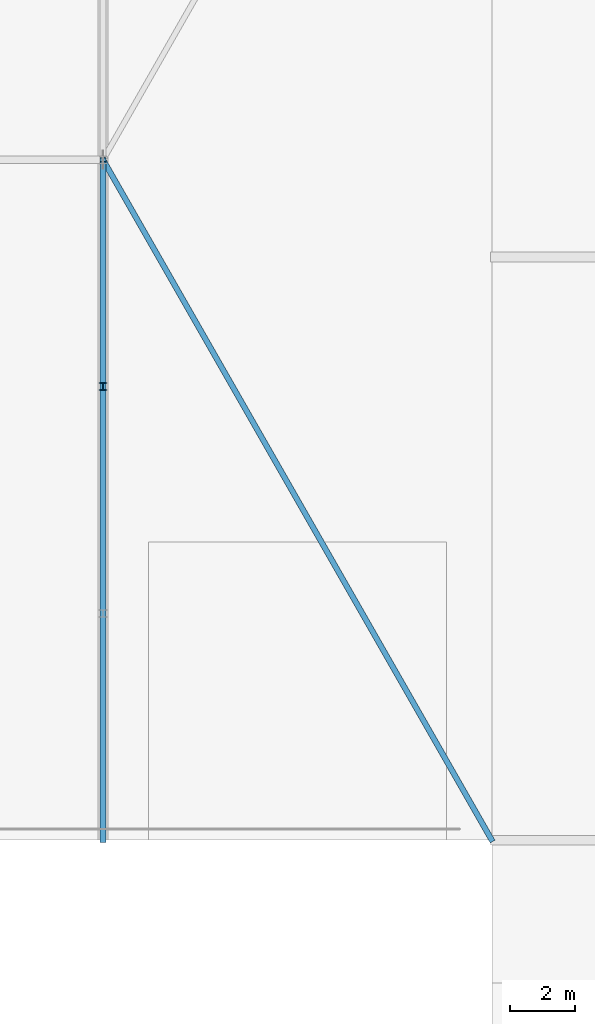
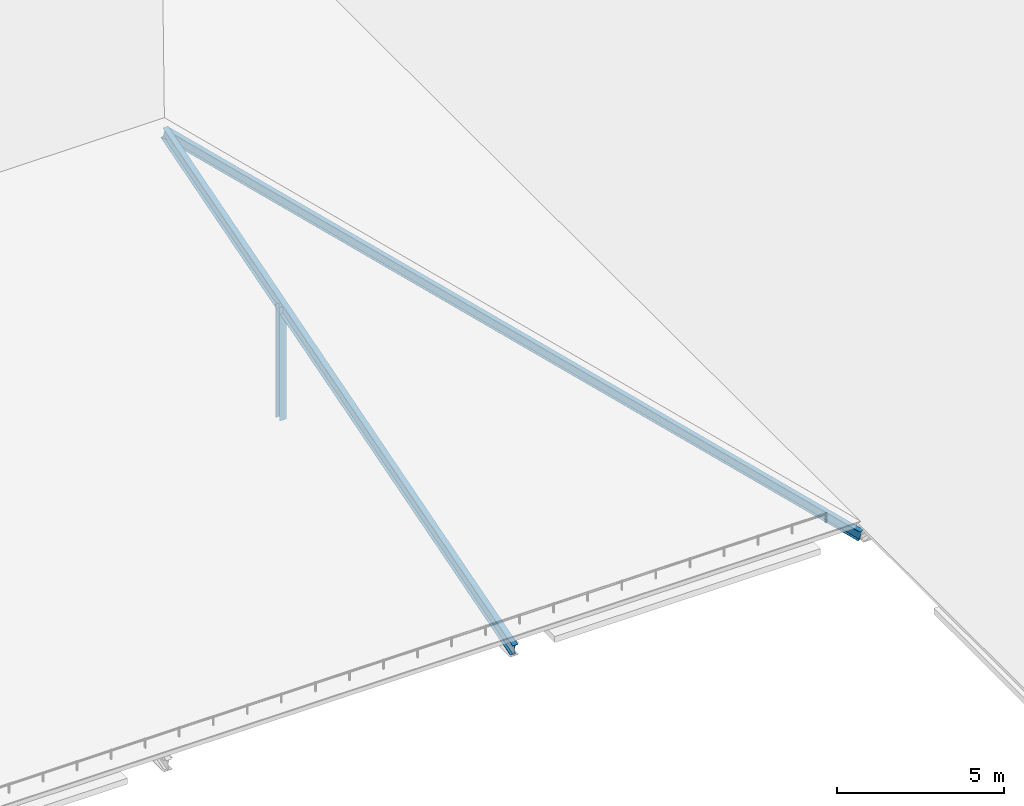
# One storey, part 13 of 204: 3 members.
"""IFC4 building model written with IfcOpenShell, lengths in metres."""

import ifcopenshell
import ifcopenshell.guid

model = None  # the IFC model being written
_history = None  # IfcOwnerHistory: only IFC2X3 demands one
_inside = {}  # id of a spatial element -> (the spatial element, [elements in it])
_under = {}  # id of a project, library or spatial element -> (it, [spatial elements below it])
_declared = {}  # id of a project -> (the project, [libraries it declares])
_typed = {}  # id of a type object -> (the type object, [elements of that type])
_made_of = {}  # id of a material, layer set ... -> (it, [elements and type objects made of it])


def new_model(schema):
    """Start an empty IFC model of exactly this schema.

    Asked for "IFC4X3", IfcOpenShell would pick the latest addendum, in which some entities
    have other attributes; the version numbers below select the first issue.
    IFC2X3 requires an IfcOwnerHistory on every rooted entity: one is made here for all.
    """
    global model, _history
    if schema == "IFC4X3":
        model = ifcopenshell.file(schema_version=(4, 3, 0, 0))
    else:
        model = ifcopenshell.file(schema=schema)
    _inside.clear()
    _under.clear()
    _declared.clear()
    _typed.clear()
    _made_of.clear()
    _history = None
    if model.schema == "IFC2X3":
        org = make("IfcOrganization", Name="unknown")
        user = make(
            "IfcPersonAndOrganization",
            ThePerson=make("IfcPerson", FamilyName="unknown"),
            TheOrganization=org,
        )
        app = make(
            "IfcApplication",
            ApplicationDeveloper=org,
            Version="unknown",
            ApplicationFullName="unknown",
            ApplicationIdentifier="unknown",
        )
        _history = make(
            "IfcOwnerHistory",
            OwningUser=user,
            OwningApplication=app,
            ChangeAction="ADDED",
            CreationDate=0,
        )
    return model


def make(cls, **values):
    """One entity of the class cls with the attributes given. An attribute that is None is left unset."""
    return model.create_entity(
        cls, **{name: value for name, value in values.items() if value is not None}
    )


def rooted(cls, **values):
    """An entity with a GlobalId (a new one), such as an element, a storey or a relation."""
    return make(cls, GlobalId=ifcopenshell.guid.new(), OwnerHistory=_history, **values)


def si_unit(unit_type, name, prefix=None):
    """IfcSIUnit, for example si_unit("LENGTHUNIT", "METRE", prefix="MILLI")."""
    return make("IfcSIUnit", UnitType=unit_type, Prefix=prefix, Name=name)


def assignment(units):
    """IfcUnitAssignment: the units of a project."""
    return None if units is None else make("IfcUnitAssignment", Units=units)


def point(xyz):
    """IfcCartesianPoint."""
    return None if xyz is None else make("IfcCartesianPoint", Coordinates=xyz)


def direction(xyz):
    """IfcDirection."""
    return None if xyz is None else make("IfcDirection", DirectionRatios=xyz)


def frame(location, z_axis=None, x_axis=None):
    """IfcAxis2Placement3D, a coordinate frame: its origin and axes. An axis left out is left unset."""
    return make(
        "IfcAxis2Placement3D",
        Location=point(location),
        Axis=direction(z_axis),
        RefDirection=direction(x_axis),
    )


def frame_2d(location, x_axis=None):
    """IfcAxis2Placement2D, a coordinate frame in the plane: its origin and x axis."""
    return make(
        "IfcAxis2Placement2D", Location=point(location), RefDirection=direction(x_axis)
    )


def origin():
    """The frame at (0, 0, 0) with its axes left unset."""
    return frame((0.0, 0.0, 0.0))


def origin_2d():
    """The frame at (0, 0) in the plane with its x axis left unset."""
    return frame_2d((0.0, 0.0))


def place(relative_to, where):
    """IfcLocalPlacement: puts the frame where relative to a parent placement (None: the world)."""
    return make(
        "IfcLocalPlacement", PlacementRelTo=relative_to, RelativePlacement=where
    )


def context(
    kind, dimensions, precision=None, world=None, true_north=None, identifier=None
):
    """IfcGeometricRepresentationContext, for example the 3D "Model" context."""
    return make(
        "IfcGeometricRepresentationContext",
        ContextIdentifier=identifier,
        ContextType=kind,
        CoordinateSpaceDimension=dimensions,
        Precision=precision,
        WorldCoordinateSystem=world,
        TrueNorth=true_north,
    )


def subcontext(parent, identifier, kind, view, scale=None):
    """IfcGeometricRepresentationSubContext, for example "Body" below "Model"."""
    return make(
        "IfcGeometricRepresentationSubContext",
        ContextIdentifier=identifier,
        ContextType=kind,
        ParentContext=parent,
        TargetScale=scale,
        TargetView=view,
    )


def project(units=None, contexts=None):
    """IfcProject with its units and contexts."""
    return rooted(
        "IfcProject",
        Name="project",
        RepresentationContexts=contexts,
        UnitsInContext=assignment(units),
    )


def spatial(cls, under=None, at=None, **own):
    """A site, building, storey or space (cls), placed at a placement, below another one or the project."""
    s = rooted(cls, ObjectPlacement=at, **own)
    if under is not None:
        _under.setdefault(under.id(), (under, []))[1].append(s)
    return s


def profile(cls, at=None, kind="AREA", **sizes):
    """A parametric profile (cls). Its sizes go by their IFC names, for example OverallWidth=200.0."""
    return make(cls, ProfileType=kind, Position=at, **sizes)


def i_section(**sizes):
    """IfcIShapeProfileDef."""
    return profile("IfcIShapeProfileDef", **sizes)


def extrude(swept, where, along, depth):
    """IfcExtrudedAreaSolid: the profile swept, set in the frame where, extruded along a direction by depth."""
    return make(
        "IfcExtrudedAreaSolid",
        SweptArea=swept,
        Position=where,
        ExtrudedDirection=direction(along),
        Depth=depth,
    )


def shape(context_of_items, identifier, shape_type, items):
    """IfcShapeRepresentation: the items that make up one representation, for example the "Body"."""
    return make(
        "IfcShapeRepresentation",
        ContextOfItems=context_of_items,
        RepresentationIdentifier=identifier,
        RepresentationType=shape_type,
        Items=items,
    )


def material(Name=None, Category=None):
    """IfcMaterial."""
    return make("IfcMaterial", Name=Name, Category=Category)


def material_profile(
    of_material, cross_section, Name=None, Category=None, Priority=None
):
    """IfcMaterialProfile: a cross section and its material."""
    return make(
        "IfcMaterialProfile",
        Name=Name,
        Material=of_material,
        Profile=cross_section,
        Priority=Priority,
        Category=Category,
    )


def profile_set(profiles, Name=None, composite=None):
    """IfcMaterialProfileSet."""
    return make(
        "IfcMaterialProfileSet",
        Name=Name,
        MaterialProfiles=profiles,
        CompositeProfile=composite,
    )


def made_of(thing, what):
    """Note that an element or type object is made of a material, layer set ...; save() writes the relation."""
    if what is not None:
        _made_of.setdefault(what.id(), (what, []))[1].append(thing)
    return thing


def type_object(cls, material=None, **own):
    """A type object (cls), such as IfcWallType, which elements share."""
    return made_of(rooted(cls, **own), material)


def element(
    cls,
    number,
    at=None,
    inside=None,
    cuts=None,
    type_object=None,
    material=None,
    context=None,
    identifier="Body",
    shape_type=None,
    held_by="IfcProductDefinitionShape",
    body=None,
    shapes=None,
    **own,
):
    """One element of the class cls, such as IfcWall. Its Tag is "e" and its number.

    at: its placement. inside: the storey or other place that contains it. cuts: it is an
    opening in that element (IfcRelVoidsElement). A single representation is given by context,
    identifier, shape_type and body (its items); several are given by shapes. held_by: the class
    of the entity that holds the representations. save() writes the other relations.
    """
    e = rooted(cls, Tag="e%d" % number, ObjectPlacement=at, **own)
    if body is not None:
        shapes = [shape(context, identifier, shape_type, body)]
    if shapes is not None:
        e.Representation = make(held_by, Representations=shapes)
    if inside is not None:
        _inside.setdefault(inside.id(), (inside, []))[1].append(e)
    if cuts is not None:
        rooted(
            "IfcRelVoidsElement", RelatingBuildingElement=cuts, RelatedOpeningElement=e
        )
    if type_object is not None:
        _typed.setdefault(type_object.id(), (type_object, []))[1].append(e)
    return made_of(e, material)


def aggregate(whole, parts):
    """IfcRelAggregates: a whole, such as a stair, and the parts it consists of."""
    return rooted("IfcRelAggregates", RelatingObject=whole, RelatedObjects=parts)


def save(model, path):
    """Write the relations noted so far, then the file.

    IfcRelAggregates (storeys below a building ...), IfcRelContainedInSpatialStructure (elements
    in a storey), IfcRelDefinesByType, IfcRelAssociatesMaterial and IfcRelDeclares: one each for
    every whole, place, type object, material and project.
    """
    for whole, parts in _under.values():
        aggregate(whole, parts)
    for where, things in _inside.values():
        rooted(
            "IfcRelContainedInSpatialStructure",
            RelatedElements=things,
            RelatingStructure=where,
        )
    for kind, things in _typed.values():
        rooted("IfcRelDefinesByType", RelatedObjects=things, RelatingType=kind)
    for what, things in _made_of.values():
        rooted("IfcRelAssociatesMaterial", RelatedObjects=things, RelatingMaterial=what)
    for by, libraries in _declared.values():
        rooted("IfcRelDeclares", RelatingContext=by, RelatedDefinitions=libraries)
    model.write(path)


model = new_model("IFC4")

# Units and contexts
model_context = context("Model", 3, precision=1e-05, world=origin(), true_north=direction((0.0, 1.0)))
body_context = subcontext(model_context, "Body", "Model", "MODEL_VIEW")
ifc_project = project(units=[si_unit("LENGTHUNIT", "METRE"), si_unit("AREAUNIT", "SQUARE_METRE"), si_unit("VOLUMEUNIT", "CUBIC_METRE"), si_unit("PLANEANGLEUNIT", "RADIAN"), si_unit("MASSUNIT", "GRAM", prefix="KILO")], contexts=[model_context])

# Site, building, storey
site_placement = place(None, origin())
site = spatial("IfcSite", under=ifc_project, at=site_placement, CompositionType="ELEMENT")
building_placement = place(site_placement, origin())
building = spatial("IfcBuilding", under=site, at=building_placement, Name="Zilviju Railside Exhibition Hall", CompositionType="ELEMENT")
storey_placement = place(building_placement, frame((0.0, 0.0, 21.0)))
storey = spatial("IfcBuildingStorey", under=building, at=storey_placement, Name="RF", CompositionType="ELEMENT", Elevation=21.0)

# Members
ifc_material = material(Name="Steel S355J2", Category="steel")
ifc_material_profile_1 = material_profile(ifc_material, i_section(OverallWidth=0.239990234375, OverallDepth=0.22998046875, WebThickness=0.007568359375, FlangeThickness=0.011962890625, at=origin_2d()), Name="HEA 240")
ifc_profile_set_1 = profile_set([ifc_material_profile_1], Name="Steel S355J2")
member_type_1 = type_object("IfcMemberType", Name="TR-POST-HEA240", PredefinedType="POST", material=ifc_profile_set_1)
member_1_placement = place(storey_placement, frame((36.0, 50.0, -8.39990234375), z_axis=(0.0, 0.0, 1.0), x_axis=(1.0, 0.0, 0.0)))
element("IfcMember", 1, at=member_1_placement, inside=storey, type_object=member_type_1, Name="Congress Truss Web Post X=36.0", PredefinedType="POST", context=body_context, shape_type="SweptSolid", body=[
    extrude(i_section(OverallWidth=0.239990234375, OverallDepth=0.22998046875, WebThickness=0.007568359375, FlangeThickness=0.011962890625, at=origin_2d()), origin(), (0.0, 0.0, 1.0), 4.159912109375),
])
ifc_material_profile_2 = material_profile(ifc_material, i_section(OverallWidth=0.169921875, OverallDepth=0.360107421875, WebThickness=0.008056640625, FlangeThickness=0.0126953125, at=origin_2d()), Name="IPE 360")
ifc_profile_set_2 = profile_set([ifc_material_profile_2], Name="Steel S355J2")
member_type_2 = type_object("IfcMemberType", Name="TR-RAF-IPE360", PredefinedType="RAFTER", material=ifc_profile_set_2)
member_2_placement = place(storey_placement, frame((48.0, 36.0, -8.39990234375), z_axis=(-0.480360405507, 0.840630709637, 0.250187711202), x_axis=(-0.868243142124, -0.496138938357, 0.0)))
element("IfcMember", 2, at=member_2_placement, inside=storey, type_object=member_type_2, Name="Congress Hip Rafter", PredefinedType="RAFTER", context=body_context, shape_type="SweptSolid", body=[
    extrude(i_section(OverallWidth=0.169921875, OverallDepth=0.360107421875, WebThickness=0.008056640625, FlangeThickness=0.0126953125, at=origin_2d()), origin(), (0.0, 0.0, 1.0), 24.981201171875),
])
ifc_material_profile_3 = material_profile(ifc_material, i_section(OverallWidth=0.18994140625, OverallDepth=0.449951171875, WebThickness=0.009521484375, FlangeThickness=0.0146484375, at=origin_2d()), Name="IPE 450")
ifc_profile_set_3 = profile_set([ifc_material_profile_3], Name="Steel S355J2")
member_type_3 = type_object("IfcMemberType", Name="TR-RAF-IPE450", PredefinedType="RAFTER", material=ifc_profile_set_3)
member_3_placement = place(storey_placement, frame((36.0, 36.0, -8.39990234375), z_axis=(0.0, 0.958452078441, 0.285253594774), x_axis=(-1.0, 0.0, 0.0)))
element("IfcMember", 3, at=member_3_placement, inside=storey, type_object=member_type_3, Name="Congress Pitched Truss South Rafter X=36.0", PredefinedType="RAFTER", context=body_context, shape_type="SweptSolid", body=[
    extrude(i_section(OverallWidth=0.18994140625, OverallDepth=0.449951171875, WebThickness=0.009521484375, FlangeThickness=0.0146484375, at=origin_2d()), origin(), (0.0, 0.0, 1.0), 21.910400390625),
])

save(model, "model.ifc")
